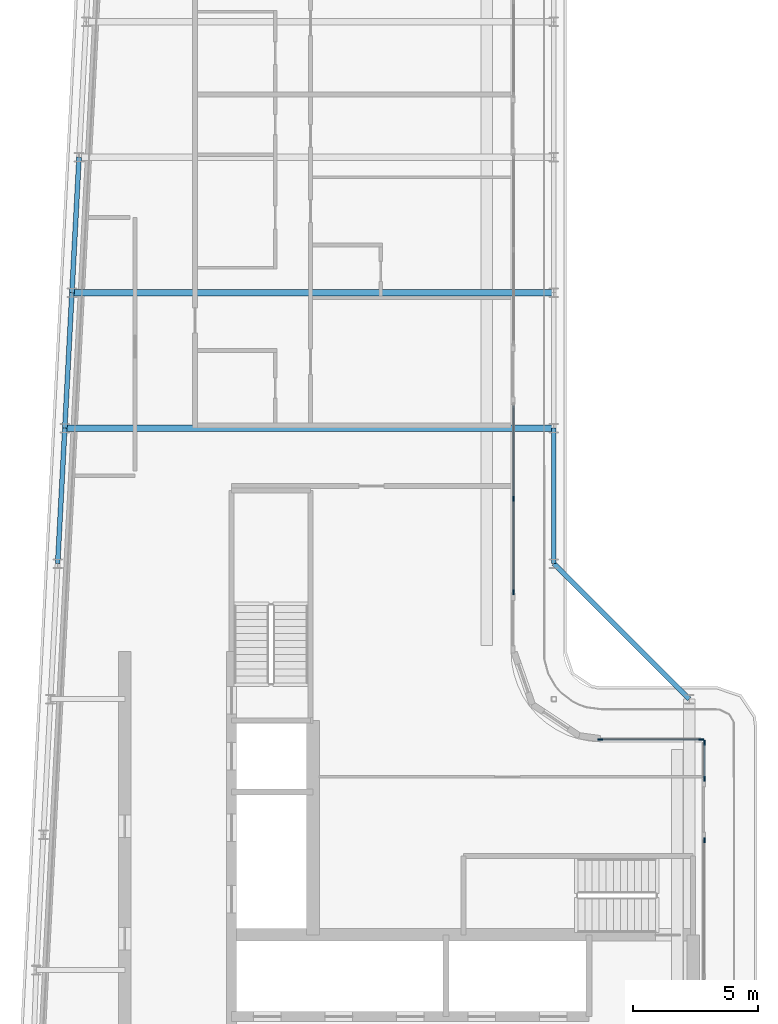
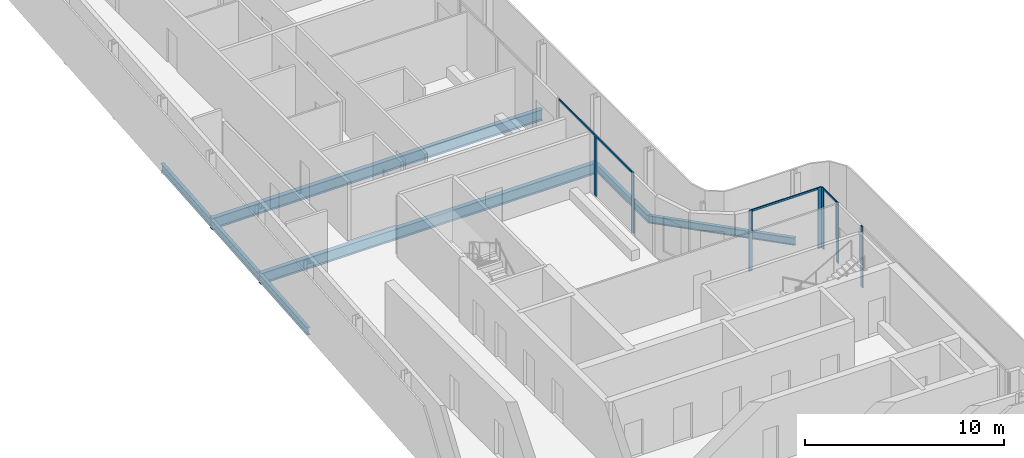
# One storey, part 5 of 15: 10 members, 7 beams, 4 elements without a shape of their own.
"""IFC4 building model written with IfcOpenShell, lengths in metres."""

from ifc_helpers import new_model, si_unit, direction, frame, origin, origin_2d, place, context, subcontext, project, spatial, rectangle, i_section, extrude, material, layer, layer_set, material_profile, profile_set, type_object, element, aggregate, save


model = new_model("IFC4")

# Units and contexts
model_context = context("Model", 3, precision=1e-05, world=origin(), true_north=direction((0.0, 1.0)))
body_context = subcontext(model_context, "Body", "Model", "MODEL_VIEW")
ifc_project = project(units=[si_unit("LENGTHUNIT", "METRE"), si_unit("AREAUNIT", "SQUARE_METRE"), si_unit("VOLUMEUNIT", "CUBIC_METRE"), si_unit("PLANEANGLEUNIT", "RADIAN"), si_unit("MASSUNIT", "GRAM", prefix="KILO")], contexts=[model_context])

# Site, building, storey
site_placement = place(None, origin())
site = spatial("IfcSite", under=ifc_project, at=site_placement, CompositionType="ELEMENT")
building_placement = place(site_placement, origin())
building = spatial("IfcBuilding", under=site, at=building_placement, Name="Kheshtan School and Residences Tower", CompositionType="ELEMENT")
storey_placement = place(building_placement, frame((0.0, 0.0, 338.300048828125)))
storey = spatial("IfcBuildingStorey", under=building, at=storey_placement, Name="L79", CompositionType="ELEMENT", Elevation=338.300048828125)

# Beams
ifc_material_1 = material(Name="Steel ASTM A992 Grade 50", Category="steel")
ifc_material_profile_1 = material_profile(ifc_material_1, i_section(OverallWidth=0.2529296875, OverallDepth=0.677978515625, WebThickness=0.01171875, FlangeThickness=0.016357421875, FilletRadius=0.0146484375, at=origin_2d()), Name="W690x125")
ifc_profile_set_1 = profile_set([ifc_material_profile_1], Name="Steel ASTM A992 Grade 50")
beam_type_1 = type_object("IfcBeamType", Name="Beam FB6 W690x125 ASTM A992 Grade 50", PredefinedType="BEAM", material=ifc_profile_set_1)
beam_1_placement = place(storey_placement, frame((47.60009765625, 61.800048828125, -0.489013671875), z_axis=(-1.0, 0.0, 0.0), x_axis=(0.0, -1.0, 0.0)))
element("IfcBeam", 1, at=beam_1_placement, inside=storey, type_object=beam_type_1, Name="Floor beam C083", PredefinedType="BEAM", context=body_context, shape_type="SweptSolid", body=[
    extrude(i_section(OverallWidth=0.2529296875, OverallDepth=0.677978515625, WebThickness=0.01171875, FlangeThickness=0.016357421875, FilletRadius=0.0146484375, at=origin_2d()), origin(), (0.0, 0.0, 1.0), 19.210205078125),
])
beam_2_placement = place(storey_placement, frame((28.10595703125, 56.39990234375, -0.489013671875), z_axis=(1.0, 0.0, 0.0), x_axis=(0.0, 1.0, 0.0)))
element("IfcBeam", 2, at=beam_2_placement, inside=storey, type_object=beam_type_1, Name="Floor beam C080", PredefinedType="BEAM", context=body_context, shape_type="SweptSolid", body=[
    extrude(i_section(OverallWidth=0.2529296875, OverallDepth=0.677978515625, WebThickness=0.01171875, FlangeThickness=0.016357421875, FilletRadius=0.0146484375, at=origin_2d()), origin(), (0.0, 0.0, 1.0), 19.494140625),
])
ifc_material_profile_2 = material_profile(ifc_material_1, i_section(OverallWidth=0.18994140625, OverallDepth=0.45703125, WebThickness=0.009033203125, FlangeThickness=0.014404296875, FilletRadius=0.01318359375, at=origin_2d()), Name="W460x74")
ifc_profile_set_2 = profile_set([ifc_material_profile_2], Name="Steel ASTM A992 Grade 50")
beam_type_2 = type_object("IfcBeamType", Name="Beam SP4 W460x74 ASTM A992 Grade 50", PredefinedType="BEAM", material=ifc_profile_set_2)
beam_3_placement = place(storey_placement, frame((47.60009765625, 56.39990234375, -0.378662109375), z_axis=(0.0, -1.0, 0.0), x_axis=(1.0, 0.0, 0.0)))
element("IfcBeam", 3, at=beam_3_placement, inside=storey, type_object=beam_type_2, Name="Spandrel beam C081-C079", PredefinedType="BEAM", context=body_context, shape_type="SweptSolid", body=[
    extrude(i_section(OverallWidth=0.18994140625, OverallDepth=0.45703125, WebThickness=0.009033203125, FlangeThickness=0.014404296875, FilletRadius=0.01318359375, at=origin_2d()), origin(), (0.0, 0.0, 1.0), 5.39990234375),
])
beam_4_placement = place(storey_placement, frame((47.60009765625, 51.0, -0.378662109375), z_axis=(0.707106781187, -0.707106781187, 0.0), x_axis=(0.707106781187, 0.707106781187, 0.0)))
element("IfcBeam", 4, at=beam_4_placement, inside=storey, type_object=beam_type_2, Name="Spandrel beam C079-C061", PredefinedType="BEAM", context=body_context, shape_type="SweptSolid", body=[
    extrude(i_section(OverallWidth=0.18994140625, OverallDepth=0.45703125, WebThickness=0.009033203125, FlangeThickness=0.014404296875, FilletRadius=0.01318359375, at=origin_2d()), origin(), (0.0, 0.0, 1.0), 7.63671875),
])
beam_5_placement = place(storey_placement, frame((27.822021484375, 51.0, -0.378662109375), z_axis=(0.05250906864, 0.998620447272, 0.0), x_axis=(-0.998620447272, 0.05250906864, 0.0)))
element("IfcBeam", 5, at=beam_5_placement, inside=storey, type_object=beam_type_2, Name="Spandrel beam C078-C080", PredefinedType="BEAM", context=body_context, shape_type="SweptSolid", body=[
    extrude(i_section(OverallWidth=0.18994140625, OverallDepth=0.45703125, WebThickness=0.009033203125, FlangeThickness=0.014404296875, FilletRadius=0.01318359375, at=origin_2d()), origin(), (0.0, 0.0, 1.0), 5.407470703125),
])
beam_6_placement = place(storey_placement, frame((28.10595703125, 56.39990234375, -0.378662109375), z_axis=(0.05250670125, 0.998620571751, 0.0), x_axis=(-0.998620571751, 0.05250670125, 0.0)))
element("IfcBeam", 6, at=beam_6_placement, inside=storey, type_object=beam_type_2, Name="Spandrel beam C080-C082", PredefinedType="BEAM", context=body_context, shape_type="SweptSolid", body=[
    extrude(i_section(OverallWidth=0.18994140625, OverallDepth=0.45703125, WebThickness=0.009033203125, FlangeThickness=0.014404296875, FilletRadius=0.01318359375, at=origin_2d()), origin(), (0.0, 0.0, 1.0), 5.40771484375),
])
beam_7_placement = place(storey_placement, frame((28.389892578125, 61.800048828125, -0.378662109375), z_axis=(0.052554093665, 0.998618078766, 0.0), x_axis=(-0.998618078766, 0.052554093665, 0.0)))
element("IfcBeam", 7, at=beam_7_placement, inside=storey, type_object=beam_type_2, Name="Spandrel beam C082-C084", PredefinedType="BEAM", context=body_context, shape_type="SweptSolid", body=[
    extrude(i_section(OverallWidth=0.18994140625, OverallDepth=0.45703125, WebThickness=0.009033203125, FlangeThickness=0.014404296875, FilletRadius=0.01318359375, at=origin_2d()), origin(), (0.0, 0.0, 1.0), 5.407470703125),
])

# Curtain wall, members
ifc_material_2 = material(Name="Clear low-e glass in thermally broken aluminium frame", Category="aluminium")
ifc_layer_1 = layer(ifc_material_2, 0.199951171875)
ifc_layer_set_1 = layer_set([ifc_layer_1], Name="Curtain wall CW-B")
curtain_wall_type_1 = type_object("IfcCurtainWallType", Name="Curtain wall CW-B", PredefinedType="NOTDEFINED", material=ifc_layer_set_1)
curtain_wall_1_placement = place(storey_placement, origin())
curtain_wall_1 = element("IfcCurtainWall", 8, at=curtain_wall_1_placement, inside=storey, type_object=curtain_wall_type_1, Name="Curtain wall CWB8", PredefinedType="NOTDEFINED")
ifc_material_3 = material(Name="Thermally broken aluminium, dark bronze anodised", Category="aluminium")
ifc_material_profile_3 = material_profile(ifc_material_3, rectangle(XDim=0.06005859375, YDim=0.199951171875, at=origin_2d()), Name="CW-B mullion 60x200")
ifc_profile_set_3 = profile_set([ifc_material_profile_3], Name="Thermally broken aluminium, dark bronze anodised")
member_type_1 = type_object("IfcMemberType", Name="CW-B mullion 60x200", PredefinedType="MULLION", material=ifc_profile_set_3)
member_1_placement = place(storey_placement, frame((49.4599609375, 44.0, 0.0), z_axis=(0.0, 0.0, 1.0), x_axis=(0.0, 1.0, 0.0)))
member_1 = element("IfcMember", 9, at=member_1_placement, type_object=member_type_1, Name="CWB8 mullion 1", PredefinedType="MULLION", context=body_context, shape_type="SweptSolid", body=[
    extrude(rectangle(XDim=0.06005859375, YDim=0.199951171875, at=origin_2d()), origin(), (0.0, 0.0, 1.0), 3.75),
])
member_2_placement = place(storey_placement, frame((53.469970703125, 44.0, 0.0), z_axis=(0.0, 0.0, 1.0), x_axis=(0.0, 1.0, 0.0)))
member_2 = element("IfcMember", 10, at=member_2_placement, type_object=member_type_1, Name="CWB8 mullion 2", PredefinedType="MULLION", context=body_context, shape_type="SweptSolid", body=[
    extrude(rectangle(XDim=0.06005859375, YDim=0.199951171875, at=origin_2d()), origin(), (0.0, 0.0, 1.0), 3.75),
])
ifc_material_profile_4 = material_profile(ifc_material_3, rectangle(XDim=0.06005859375, YDim=0.1201171875, at=origin_2d()), Name="CW-B transom 60x120")
ifc_profile_set_4 = profile_set([ifc_material_profile_4], Name="Thermally broken aluminium, dark bronze anodised")
member_type_2 = type_object("IfcMemberType", Name="CW-B transom 60x120", PredefinedType="USERDEFINED", material=ifc_profile_set_4)
member_3_placement = place(storey_placement, frame((49.489990234375, 44.0, 3.68994140625), z_axis=(1.0, 0.0, 0.0), x_axis=(0.0, 1.0, 0.0)))
member_3 = element("IfcMember", 11, at=member_3_placement, type_object=member_type_2, Name="CWB8 transom 1", ObjectType="TRANSOM", PredefinedType="USERDEFINED", context=body_context, shape_type="SweptSolid", body=[
    extrude(rectangle(XDim=0.06005859375, YDim=0.1201171875, at=origin_2d()), origin(), (0.0, 0.0, 1.0), 3.949951171875),
])
aggregate(curtain_wall_1, [member_1, member_2, member_3])

ifc_layer_2 = layer(ifc_material_2, 0.199951171875)
ifc_layer_set_2 = layer_set([ifc_layer_2], Name="Curtain wall CW-L")
curtain_wall_type_2 = type_object("IfcCurtainWallType", Name="Curtain wall CW-L", PredefinedType="NOTDEFINED", material=ifc_layer_set_2)
curtain_wall_2_placement = place(storey_placement, origin())
curtain_wall_2 = element("IfcCurtainWall", 12, at=curtain_wall_2_placement, inside=storey, type_object=curtain_wall_type_2, Name="Curtain wall CWL4a", PredefinedType="NOTDEFINED")
ifc_material_profile_5 = material_profile(ifc_material_3, rectangle(XDim=0.06005859375, YDim=0.199951171875, at=origin_2d()), Name="CW-L mullion 60x200")
ifc_profile_set_5 = profile_set([ifc_material_profile_5], Name="Thermally broken aluminium, dark bronze anodised")
member_type_3 = type_object("IfcMemberType", Name="CW-L mullion 60x200", PredefinedType="MULLION", material=ifc_profile_set_5)
member_4_placement = place(storey_placement, frame((46.0, 53.5888671875, 0.0), z_axis=(0.0, 0.0, 1.0), x_axis=(1.0, 0.0, 0.0)))
member_4 = element("IfcMember", 13, at=member_4_placement, type_object=member_type_3, Name="CWL4a mullion 2", PredefinedType="MULLION", context=body_context, shape_type="SweptSolid", body=[
    extrude(rectangle(XDim=0.06005859375, YDim=0.199951171875, at=origin_2d()), origin(), (0.0, 0.0, 1.0), 3.6298828125),
])
member_5_placement = place(storey_placement, frame((46.0, 49.860107421875, 0.0), z_axis=(0.0, 0.0, 1.0), x_axis=(1.0, 0.0, 0.0)))
member_5 = element("IfcMember", 14, at=member_5_placement, type_object=member_type_3, Name="CWL4a mullion 3", PredefinedType="MULLION", context=body_context, shape_type="SweptSolid", body=[
    extrude(rectangle(XDim=0.06005859375, YDim=0.199951171875, at=origin_2d()), origin(), (0.0, 0.0, 1.0), 3.75),
])

curtain_wall_3_placement = place(storey_placement, origin())
curtain_wall_3 = element("IfcCurtainWall", 15, at=curtain_wall_3_placement, inside=storey, type_object=curtain_wall_type_2, Name="Curtain wall CWL9b", PredefinedType="NOTDEFINED")
member_6_placement = place(storey_placement, frame((53.60009765625, 43.8701171875, 0.0), z_axis=(0.0, 0.0, 1.0), x_axis=(1.0, 0.0, 0.0)))
member_6 = element("IfcMember", 16, at=member_6_placement, type_object=member_type_3, Name="CWL9b mullion 1", PredefinedType="MULLION", context=body_context, shape_type="SweptSolid", body=[
    extrude(rectangle(XDim=0.06005859375, YDim=0.199951171875, at=origin_2d()), origin(), (0.0, 0.0, 1.0), 3.75),
])
member_7_placement = place(storey_placement, frame((53.60009765625, 42.429931640625, 0.0), z_axis=(0.0, 0.0, 1.0), x_axis=(1.0, 0.0, 0.0)))
member_7 = element("IfcMember", 17, at=member_7_placement, type_object=member_type_3, Name="CWL9b mullion 2", PredefinedType="MULLION", context=body_context, shape_type="SweptSolid", body=[
    extrude(rectangle(XDim=0.06005859375, YDim=0.199951171875, at=origin_2d()), origin(), (0.0, 0.0, 1.0), 3.75),
])

# Curtain wall, member
curtain_wall_4_placement = place(storey_placement, origin())
curtain_wall_4 = element("IfcCurtainWall", 18, at=curtain_wall_4_placement, inside=storey, type_object=curtain_wall_type_2, Name="Curtain wall CWL9c", PredefinedType="NOTDEFINED")
member_8_placement = place(storey_placement, frame((53.60009765625, 39.969970703125, 0.0), z_axis=(0.0, 0.0, 1.0), x_axis=(1.0, 0.0, 0.0)))
member_8 = element("IfcMember", 19, at=member_8_placement, type_object=member_type_3, Name="CWL9c mullion 1", PredefinedType="MULLION", context=body_context, shape_type="SweptSolid", body=[
    extrude(rectangle(XDim=0.06005859375, YDim=0.199951171875, at=origin_2d()), origin(), (0.0, 0.0, 1.0), 3.75),
])
aggregate(curtain_wall_4, [member_8])

# Member
ifc_material_profile_6 = material_profile(ifc_material_3, rectangle(XDim=0.06005859375, YDim=0.1201171875, at=origin_2d()), Name="CW-L transom 60x120")
ifc_profile_set_6 = profile_set([ifc_material_profile_6], Name="Thermally broken aluminium, dark bronze anodised")
member_type_4 = type_object("IfcMemberType", Name="CW-L transom 60x120", PredefinedType="USERDEFINED", material=ifc_profile_set_6)
member_9_placement = place(storey_placement, frame((46.0, 57.28759765625, 3.68994140625), z_axis=(0.0, -1.0, 0.0), x_axis=(1.0, 0.0, 0.0)))
member_9 = element("IfcMember", 20, at=member_9_placement, type_object=member_type_4, Name="CWL4a transom 1", ObjectType="TRANSOM", PredefinedType="USERDEFINED", context=body_context, shape_type="SweptSolid", body=[
    extrude(rectangle(XDim=0.06005859375, YDim=0.1201171875, at=origin_2d()), origin(), (0.0, 0.0, 1.0), 7.397705078125),
])

aggregate(curtain_wall_2, [member_4, member_5, member_9])

member_10_placement = place(storey_placement, frame((53.60009765625, 43.840087890625, 3.68994140625), z_axis=(0.0, -1.0, 0.0), x_axis=(1.0, 0.0, 0.0)))
member_10 = element("IfcMember", 21, at=member_10_placement, type_object=member_type_4, Name="CWL9b transom 1", ObjectType="TRANSOM", PredefinedType="USERDEFINED", context=body_context, shape_type="SweptSolid", body=[
    extrude(rectangle(XDim=0.06005859375, YDim=0.1201171875, at=origin_2d()), origin(), (0.0, 0.0, 1.0), 1.380126953125),
])

aggregate(curtain_wall_3, [member_6, member_7, member_10])

save(model, "model.ifc")
